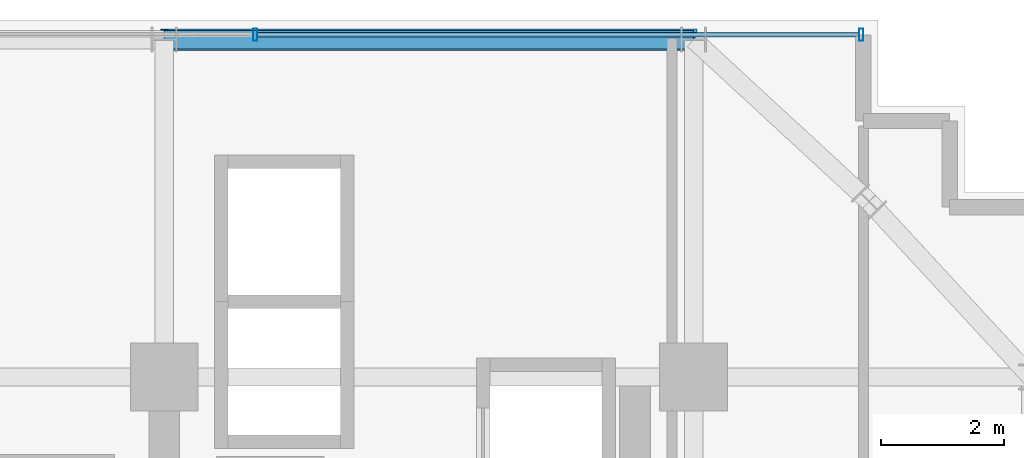
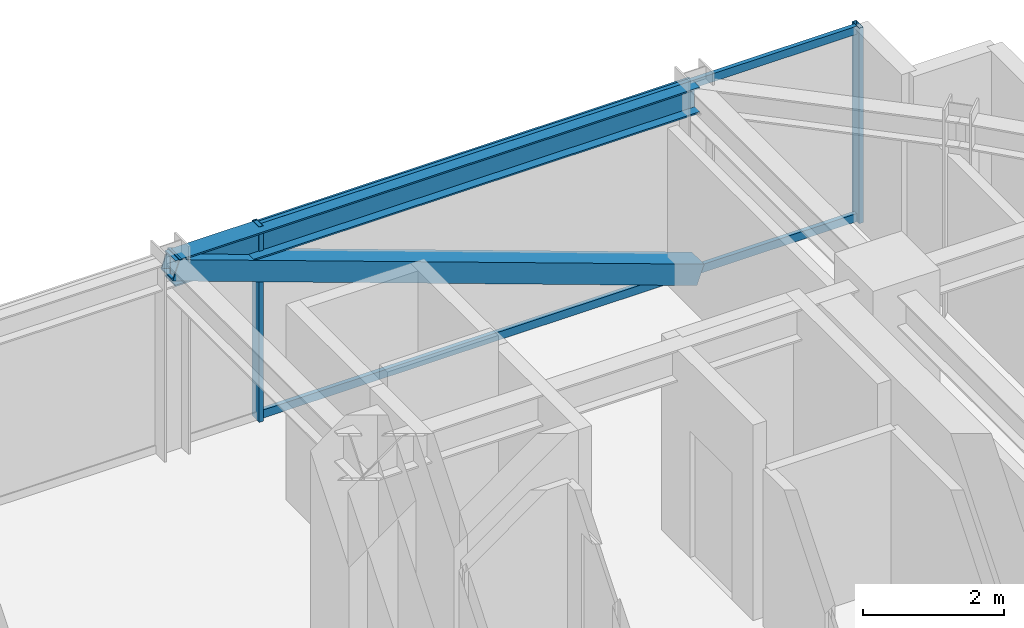
# One storey, part 26 of 35: 5 members, 1 beam, 1 element without a shape of its own.
"""IFC4 building model written with IfcOpenShell, lengths in metres."""

from ifc_helpers import new_model, si_unit, direction, frame, origin, origin_2d, place, context, subcontext, project, spatial, hollow_rectangle, i_section, extrude, source, transform, mapped, material, material_profile, profile_set, type_object, element, aggregate, save


model = new_model("IFC4")

# Units and contexts
model_context = context("Model", 3, precision=1e-05, world=origin(), true_north=direction((0.0, 1.0)))
body_context = subcontext(model_context, "Body", "Model", "MODEL_VIEW")
ifc_project = project(units=[si_unit("LENGTHUNIT", "METRE"), si_unit("AREAUNIT", "SQUARE_METRE"), si_unit("VOLUMEUNIT", "CUBIC_METRE"), si_unit("PLANEANGLEUNIT", "RADIAN"), si_unit("MASSUNIT", "GRAM", prefix="KILO")], contexts=[model_context])

# Site, building, storey
site_placement = place(None, origin())
site = spatial("IfcSite", under=ifc_project, at=site_placement, CompositionType="ELEMENT")
building_placement = place(site_placement, origin())
building = spatial("IfcBuilding", under=site, at=building_placement, Name="Nahalor Promenade Grand Hotel", CompositionType="ELEMENT")
storey_placement = place(building_placement, frame((0.0, 0.0, 185.5)))
storey = spatial("IfcBuildingStorey", under=building, at=storey_placement, Name="L47", CompositionType="ELEMENT", Elevation=185.5)

# Beam
ifc_material_1 = material(Name="Steel S355JR", Category="steel")
ifc_material_profile_1 = material_profile(ifc_material_1, i_section(OverallWidth=0.3, OverallDepth=0.45, WebThickness=0.014, FlangeThickness=0.026, at=origin_2d()), Name="HEB 450")
ifc_profile_set_1 = profile_set([ifc_material_profile_1], Name="Steel S355JR")
beam_type = type_object("IfcBeamType", Name="Beam-Spandrel-HEB450", PredefinedType="SPANDREL", material=ifc_profile_set_1)
shared_shape_1 = source(origin(), body_context, "Body", "SweptSolid", [
    extrude(i_section(OverallWidth=0.3, OverallDepth=0.45, WebThickness=0.014, FlangeThickness=0.026, at=origin_2d()), origin(), (0.0, 0.0, 1.0), 8.60009765625),
])
beam_placement = place(storey_placement, frame((8.39990234375, 22.47998046875, 3.1650390625), z_axis=(1.0, 0.0, 0.0), x_axis=(0.0, 1.0, 0.0)))
element("IfcBeam", 1, at=beam_placement, inside=storey, type_object=beam_type, Name="BM-L47-SP-N-4", PredefinedType="SPANDREL", context=body_context, shape_type="MappedRepresentation", body=[
    mapped(shared_shape_1, transform((0.0, 0.0, 0.0), scale=1.0)),
])

# Member
ifc_material_profile_2 = material_profile(ifc_material_1, hollow_rectangle(XDim=0.35, YDim=0.35, WallThickness=0.02, at=origin_2d()), Name="SHS 350x350x20")
ifc_profile_set_2 = profile_set([ifc_material_profile_2], Name="Steel S355JR")
member_type_1 = type_object("IfcMemberType", Name="Mem-VoidBrace-SHS350", PredefinedType="BRACE", material=ifc_profile_set_2)
shared_shape_2 = source(origin(), body_context, "Body", "SweptSolid", [
    extrude(hollow_rectangle(XDim=0.35, YDim=0.35, WallThickness=0.02, at=origin_2d()), origin(), (0.0, 0.0, 1.0), 9.138427734375),
])
member_1_placement = place(storey_placement, frame((17.0, 22.47998046875, 0.14990234375), z_axis=(-0.941094643271, 0.0, 0.338143272012), x_axis=(0.0, -1.0, 0.0)))
element("IfcMember", 2, at=member_1_placement, inside=storey, type_object=member_type_1, Name="EXO-L47-N-1", PredefinedType="BRACE", context=body_context, shape_type="MappedRepresentation", body=[
    mapped(shared_shape_2, transform((0.0, 0.0, 0.0), scale=1.0)),
])

# Curtain wall, members
ifc_material_2 = material(Name="Anodised Bronze Aluminium EN AW-6063 T6", Category="aluminium")
curtain_wall_type = type_object("IfcCurtainWallType", Name="CW3 Elliptical-Void Collar Unitised Curtain Wall", PredefinedType="USERDEFINED", material=ifc_material_2)
curtain_wall_placement = place(storey_placement, origin())
curtain_wall = element("IfcCurtainWall", 3, at=curtain_wall_placement, inside=storey, type_object=curtain_wall_type, Name="L47 Curtain Wall CW-L47-N-1", ObjectType="UNITISED_CURTAIN_WALL", PredefinedType="USERDEFINED")
ifc_material_profile_3 = material_profile(ifc_material_2, hollow_rectangle(XDim=0.07, YDim=0.14, WallThickness=0.004, at=origin_2d()), Name="CWT 70x140x4")
ifc_profile_set_3 = profile_set([ifc_material_profile_3], Name="Anodised Bronze Aluminium EN AW-6063 T6")
member_type_2 = type_object("IfcMemberType", Name="CWT3 Void Collar Transom 70x140", PredefinedType="USERDEFINED", material=ifc_profile_set_3)
shared_shape_3 = source(origin(), body_context, "Body", "SweptSolid", [
    extrude(hollow_rectangle(XDim=0.07, YDim=0.14, WallThickness=0.004, at=origin_2d()), origin(), (0.0, 0.0, 1.0), 9.77490234375),
])
member_2_placement = place(storey_placement, frame((9.9150390625, 22.56005859375, 0.070068359375), z_axis=(1.0, 0.0, 0.0), x_axis=(0.0, 1.0, 0.0)))
member_2 = element("IfcMember", 4, at=member_2_placement, type_object=member_type_2, Name="CW-L47-N-1 Transom 3-0", ObjectType="TRANSOM", PredefinedType="USERDEFINED", context=body_context, shape_type="MappedRepresentation", body=[
    mapped(shared_shape_3, transform((0.0, 0.0, 0.0), scale=1.0)),
])
member_3_placement = place(storey_placement, frame((9.9150390625, 22.56005859375, 3.320068359375), z_axis=(1.0, 0.0, 0.0), x_axis=(0.0, 1.0, 0.0)))
member_3 = element("IfcMember", 5, at=member_3_placement, type_object=member_type_2, Name="CW-L47-N-1 Transom 3-1", ObjectType="TRANSOM", PredefinedType="USERDEFINED", context=body_context, shape_type="MappedRepresentation", body=[
    mapped(shared_shape_3, transform((0.0, 0.0, 0.0), scale=1.0)),
])
ifc_material_profile_4 = material_profile(ifc_material_2, hollow_rectangle(XDim=0.07, YDim=0.2, WallThickness=0.005, at=origin_2d()), Name="CWM 70x200x5")
ifc_profile_set_4 = profile_set([ifc_material_profile_4], Name="Anodised Bronze Aluminium EN AW-6063 T6")
member_type_3 = type_object("IfcMemberType", Name="CWM3 Void Collar Mullion 70x200", PredefinedType="MULLION", material=ifc_profile_set_4)
shared_shape_4 = source(origin(), body_context, "Body", "SweptSolid", [
    extrude(hollow_rectangle(XDim=0.07, YDim=0.2, WallThickness=0.005, at=origin_2d()), origin(), (0.0, 0.0, 1.0), 3.389892578125),
])
member_4_placement = place(storey_placement, frame((9.8798828125, 22.56005859375, 0.0), z_axis=(0.0, 0.0, 1.0), x_axis=(1.0, 0.0, 0.0)))
member_4 = element("IfcMember", 6, at=member_4_placement, type_object=member_type_3, Name="CW-L47-N-1 Mullion 3", PredefinedType="MULLION", context=body_context, shape_type="MappedRepresentation", body=[
    mapped(shared_shape_4, transform((0.0, 0.0, 0.0), scale=1.0)),
])
member_5_placement = place(storey_placement, frame((19.72509765625, 22.56005859375, 0.0), z_axis=(0.0, 0.0, 1.0), x_axis=(1.0, 0.0, 0.0)))
member_5 = element("IfcMember", 7, at=member_5_placement, type_object=member_type_3, Name="CW-L47-N-1 Mullion 4", PredefinedType="MULLION", context=body_context, shape_type="MappedRepresentation", body=[
    mapped(shared_shape_4, transform((0.0, 0.0, 0.0), scale=1.0)),
])
aggregate(curtain_wall, [member_4, member_5, member_2, member_3])

save(model, "model.ifc")
